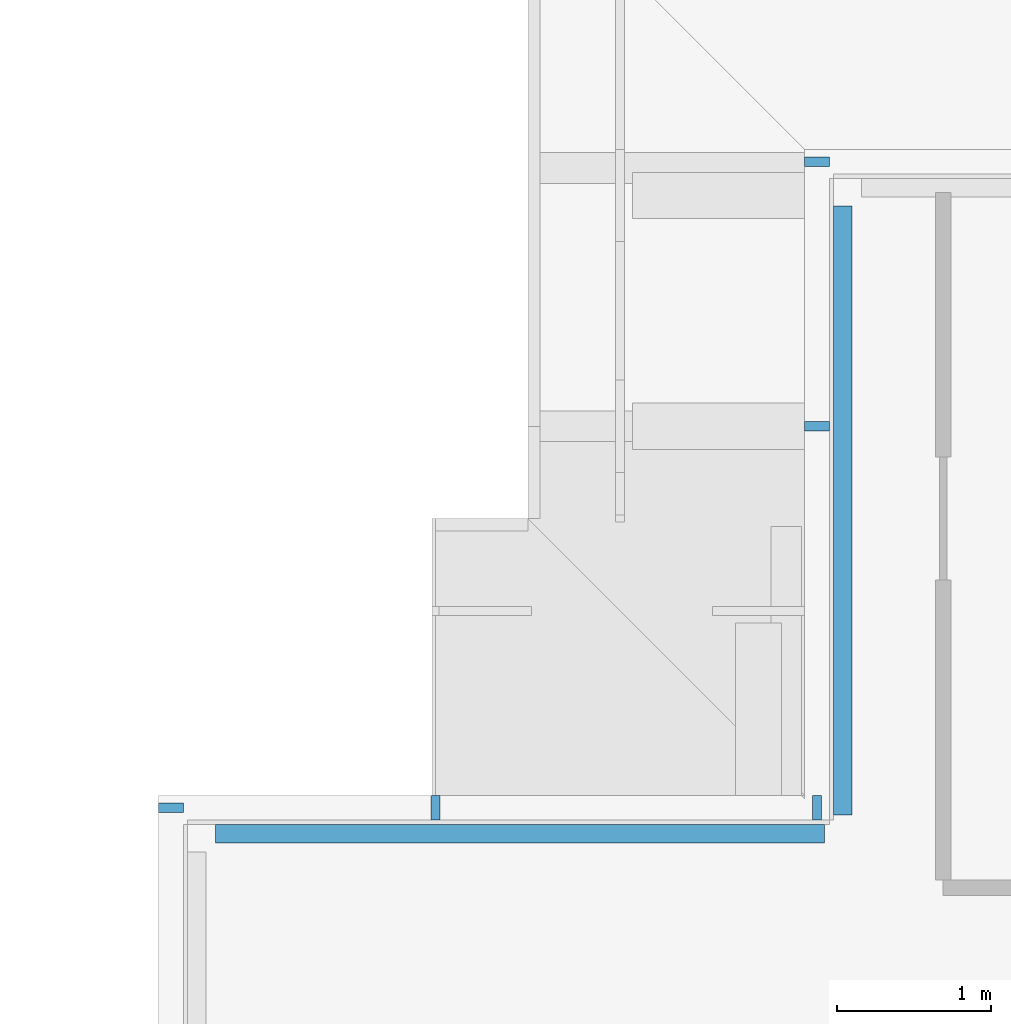
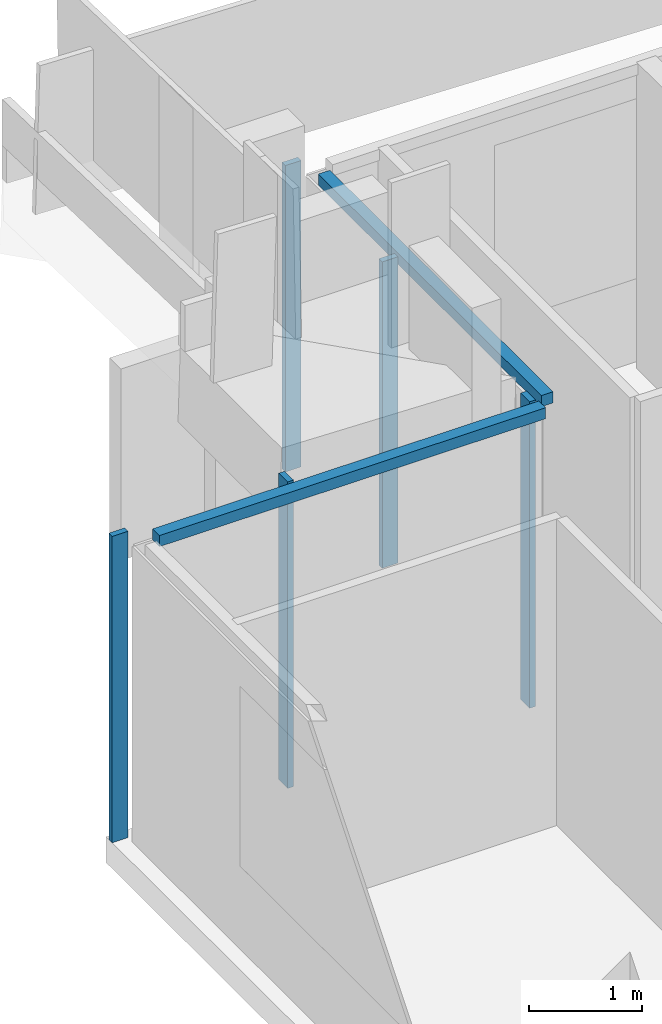
# One storey, part 6 of 21: 7 members, 3 elements without a shape of their own.
"""IFC4 building model written with IfcOpenShell, lengths in metres."""

import ifcopenshell
import ifcopenshell.guid

model = None  # the IFC model being written
_history = None  # IfcOwnerHistory: only IFC2X3 demands one
_inside = {}  # id of a spatial element -> (the spatial element, [elements in it])
_under = {}  # id of a project, library or spatial element -> (it, [spatial elements below it])
_declared = {}  # id of a project -> (the project, [libraries it declares])
_typed = {}  # id of a type object -> (the type object, [elements of that type])
_made_of = {}  # id of a material, layer set ... -> (it, [elements and type objects made of it])


def new_model(schema):
    """Start an empty IFC model of exactly this schema.

    Asked for "IFC4X3", IfcOpenShell would pick the latest addendum, in which some entities
    have other attributes; the version numbers below select the first issue.
    IFC2X3 requires an IfcOwnerHistory on every rooted entity: one is made here for all.
    """
    global model, _history
    if schema == "IFC4X3":
        model = ifcopenshell.file(schema_version=(4, 3, 0, 0))
    else:
        model = ifcopenshell.file(schema=schema)
    _inside.clear()
    _under.clear()
    _declared.clear()
    _typed.clear()
    _made_of.clear()
    _history = None
    if model.schema == "IFC2X3":
        org = make("IfcOrganization", Name="unknown")
        user = make(
            "IfcPersonAndOrganization",
            ThePerson=make("IfcPerson", FamilyName="unknown"),
            TheOrganization=org,
        )
        app = make(
            "IfcApplication",
            ApplicationDeveloper=org,
            Version="unknown",
            ApplicationFullName="unknown",
            ApplicationIdentifier="unknown",
        )
        _history = make(
            "IfcOwnerHistory",
            OwningUser=user,
            OwningApplication=app,
            ChangeAction="ADDED",
            CreationDate=0,
        )
    return model


def make(cls, **values):
    """One entity of the class cls with the attributes given. An attribute that is None is left unset."""
    return model.create_entity(
        cls, **{name: value for name, value in values.items() if value is not None}
    )


def rooted(cls, **values):
    """An entity with a GlobalId (a new one), such as an element, a storey or a relation."""
    return make(cls, GlobalId=ifcopenshell.guid.new(), OwnerHistory=_history, **values)


def si_unit(unit_type, name, prefix=None):
    """IfcSIUnit, for example si_unit("LENGTHUNIT", "METRE", prefix="MILLI")."""
    return make("IfcSIUnit", UnitType=unit_type, Prefix=prefix, Name=name)


def assignment(units):
    """IfcUnitAssignment: the units of a project."""
    return None if units is None else make("IfcUnitAssignment", Units=units)


def point(xyz):
    """IfcCartesianPoint."""
    return None if xyz is None else make("IfcCartesianPoint", Coordinates=xyz)


def direction(xyz):
    """IfcDirection."""
    return None if xyz is None else make("IfcDirection", DirectionRatios=xyz)


def frame(location, z_axis=None, x_axis=None):
    """IfcAxis2Placement3D, a coordinate frame: its origin and axes. An axis left out is left unset."""
    return make(
        "IfcAxis2Placement3D",
        Location=point(location),
        Axis=direction(z_axis),
        RefDirection=direction(x_axis),
    )


def frame_2d(location, x_axis=None):
    """IfcAxis2Placement2D, a coordinate frame in the plane: its origin and x axis."""
    return make(
        "IfcAxis2Placement2D", Location=point(location), RefDirection=direction(x_axis)
    )


def origin():
    """The frame at (0, 0, 0) with its axes left unset."""
    return frame((0.0, 0.0, 0.0))


def origin_2d():
    """The frame at (0, 0) in the plane with its x axis left unset."""
    return frame_2d((0.0, 0.0))


def place(relative_to, where):
    """IfcLocalPlacement: puts the frame where relative to a parent placement (None: the world)."""
    return make(
        "IfcLocalPlacement", PlacementRelTo=relative_to, RelativePlacement=where
    )


def context(
    kind, dimensions, precision=None, world=None, true_north=None, identifier=None
):
    """IfcGeometricRepresentationContext, for example the 3D "Model" context."""
    return make(
        "IfcGeometricRepresentationContext",
        ContextIdentifier=identifier,
        ContextType=kind,
        CoordinateSpaceDimension=dimensions,
        Precision=precision,
        WorldCoordinateSystem=world,
        TrueNorth=true_north,
    )


def subcontext(parent, identifier, kind, view, scale=None):
    """IfcGeometricRepresentationSubContext, for example "Body" below "Model"."""
    return make(
        "IfcGeometricRepresentationSubContext",
        ContextIdentifier=identifier,
        ContextType=kind,
        ParentContext=parent,
        TargetScale=scale,
        TargetView=view,
    )


def project(units=None, contexts=None):
    """IfcProject with its units and contexts."""
    return rooted(
        "IfcProject",
        Name="project",
        RepresentationContexts=contexts,
        UnitsInContext=assignment(units),
    )


def spatial(cls, under=None, at=None, **own):
    """A site, building, storey or space (cls), placed at a placement, below another one or the project."""
    s = rooted(cls, ObjectPlacement=at, **own)
    if under is not None:
        _under.setdefault(under.id(), (under, []))[1].append(s)
    return s


def profile(cls, at=None, kind="AREA", **sizes):
    """A parametric profile (cls). Its sizes go by their IFC names, for example OverallWidth=200.0."""
    return make(cls, ProfileType=kind, Position=at, **sizes)


def rectangle(**sizes):
    """IfcRectangleProfileDef."""
    return profile("IfcRectangleProfileDef", **sizes)


def extrude(swept, where, along, depth):
    """IfcExtrudedAreaSolid: the profile swept, set in the frame where, extruded along a direction by depth."""
    return make(
        "IfcExtrudedAreaSolid",
        SweptArea=swept,
        Position=where,
        ExtrudedDirection=direction(along),
        Depth=depth,
    )


def shape(context_of_items, identifier, shape_type, items):
    """IfcShapeRepresentation: the items that make up one representation, for example the "Body"."""
    return make(
        "IfcShapeRepresentation",
        ContextOfItems=context_of_items,
        RepresentationIdentifier=identifier,
        RepresentationType=shape_type,
        Items=items,
    )


def material(Name=None, Category=None):
    """IfcMaterial."""
    return make("IfcMaterial", Name=Name, Category=Category)


def material_profile(
    of_material, cross_section, Name=None, Category=None, Priority=None
):
    """IfcMaterialProfile: a cross section and its material."""
    return make(
        "IfcMaterialProfile",
        Name=Name,
        Material=of_material,
        Profile=cross_section,
        Priority=Priority,
        Category=Category,
    )


def profile_set(profiles, Name=None, composite=None):
    """IfcMaterialProfileSet."""
    return make(
        "IfcMaterialProfileSet",
        Name=Name,
        MaterialProfiles=profiles,
        CompositeProfile=composite,
    )


def made_of(thing, what):
    """Note that an element or type object is made of a material, layer set ...; save() writes the relation."""
    if what is not None:
        _made_of.setdefault(what.id(), (what, []))[1].append(thing)
    return thing


def type_object(cls, material=None, **own):
    """A type object (cls), such as IfcWallType, which elements share."""
    return made_of(rooted(cls, **own), material)


def element(
    cls,
    number,
    at=None,
    inside=None,
    cuts=None,
    type_object=None,
    material=None,
    context=None,
    identifier="Body",
    shape_type=None,
    held_by="IfcProductDefinitionShape",
    body=None,
    shapes=None,
    **own,
):
    """One element of the class cls, such as IfcWall. Its Tag is "e" and its number.

    at: its placement. inside: the storey or other place that contains it. cuts: it is an
    opening in that element (IfcRelVoidsElement). A single representation is given by context,
    identifier, shape_type and body (its items); several are given by shapes. held_by: the class
    of the entity that holds the representations. save() writes the other relations.
    """
    e = rooted(cls, Tag="e%d" % number, ObjectPlacement=at, **own)
    if body is not None:
        shapes = [shape(context, identifier, shape_type, body)]
    if shapes is not None:
        e.Representation = make(held_by, Representations=shapes)
    if inside is not None:
        _inside.setdefault(inside.id(), (inside, []))[1].append(e)
    if cuts is not None:
        rooted(
            "IfcRelVoidsElement", RelatingBuildingElement=cuts, RelatedOpeningElement=e
        )
    if type_object is not None:
        _typed.setdefault(type_object.id(), (type_object, []))[1].append(e)
    return made_of(e, material)


def aggregate(whole, parts):
    """IfcRelAggregates: a whole, such as a stair, and the parts it consists of."""
    return rooted("IfcRelAggregates", RelatingObject=whole, RelatedObjects=parts)


def save(model, path):
    """Write the relations noted so far, then the file.

    IfcRelAggregates (storeys below a building ...), IfcRelContainedInSpatialStructure (elements
    in a storey), IfcRelDefinesByType, IfcRelAssociatesMaterial and IfcRelDeclares: one each for
    every whole, place, type object, material and project.
    """
    for whole, parts in _under.values():
        aggregate(whole, parts)
    for where, things in _inside.values():
        rooted(
            "IfcRelContainedInSpatialStructure",
            RelatedElements=things,
            RelatingStructure=where,
        )
    for kind, things in _typed.values():
        rooted("IfcRelDefinesByType", RelatedObjects=things, RelatingType=kind)
    for what, things in _made_of.values():
        rooted("IfcRelAssociatesMaterial", RelatedObjects=things, RelatingMaterial=what)
    for by, libraries in _declared.values():
        rooted("IfcRelDeclares", RelatingContext=by, RelatedDefinitions=libraries)
    model.write(path)


model = new_model("IFC4")

# Units and contexts
model_context = context("Model", 3, precision=1e-05, world=origin(), true_north=direction((0.0, 1.0)))
body_context = subcontext(model_context, "Body", "Model", "MODEL_VIEW")
ifc_project = project(units=[si_unit("LENGTHUNIT", "METRE"), si_unit("AREAUNIT", "SQUARE_METRE"), si_unit("VOLUMEUNIT", "CUBIC_METRE"), si_unit("PLANEANGLEUNIT", "RADIAN"), si_unit("MASSUNIT", "GRAM", prefix="KILO")], contexts=[model_context])

# Site, building, storey
site_placement = place(None, origin())
site = spatial("IfcSite", under=ifc_project, at=site_placement, CompositionType="ELEMENT")
building_placement = place(site_placement, origin())
building = spatial("IfcBuilding", under=site, at=building_placement, Name="Saffron Gate Tower", CompositionType="ELEMENT")
storey_placement = place(building_placement, frame((0.0, 0.0, 288.75)))
storey = spatial("IfcBuildingStorey", under=building, at=storey_placement, Name="L70", CompositionType="ELEMENT", Elevation=288.75)

# Curtain wall, member
ifc_material = material(Name="Aluminium, bronze anodised", Category="aluminium")
curtain_wall_type_1 = type_object("IfcCurtainWallType", Name="CWS2 curtain wall side facades", PredefinedType="NOTDEFINED", material=ifc_material)
curtain_wall_1_placement = place(storey_placement, origin())
curtain_wall_1 = element("IfcCurtainWall", 1, at=curtain_wall_1_placement, inside=storey, type_object=curtain_wall_type_1, Name="CWS2 run 10", PredefinedType="NOTDEFINED")
ifc_material_profile_1 = material_profile(ifc_material, rectangle(XDim=0.159912109375, YDim=0.06005859375, at=origin_2d()))
ifc_profile_set_1 = profile_set([ifc_material_profile_1], Name="Aluminium, bronze anodised")
member_type_1 = type_object("IfcMemberType", Name="CWS2 mullion 60x160", PredefinedType="MULLION", material=ifc_profile_set_1)
member_1_placement = place(storey_placement, frame((56.47998046875, 71.320068359375, 0.0), z_axis=(0.0, 0.0, 1.0), x_axis=(1.0, 0.0, 0.0)))
member_1 = element("IfcMember", 2, at=member_1_placement, type_object=member_type_1, Name="CWS2 mullion 1", PredefinedType="MULLION", context=body_context, shape_type="SweptSolid", body=[
    extrude(rectangle(XDim=0.159912109375, YDim=0.06005859375, at=origin_2d()), origin(), (0.0, 0.0, 1.0), 3.320068359375),
])
aggregate(curtain_wall_1, [member_1])

curtain_wall_type_2 = type_object("IfcCurtainWallType", Name="CWS4 curtain wall corner returns", PredefinedType="NOTDEFINED", material=ifc_material)
curtain_wall_2_placement = place(storey_placement, origin())
curtain_wall_2 = element("IfcCurtainWall", 3, at=curtain_wall_2_placement, inside=storey, type_object=curtain_wall_type_2, Name="CWS4 run 8", PredefinedType="NOTDEFINED")
ifc_material_profile_2 = material_profile(ifc_material, rectangle(XDim=0.1201171875, YDim=0.1201171875, at=origin_2d()))
ifc_profile_set_2 = profile_set([ifc_material_profile_2], Name="Aluminium, bronze anodised")
member_type_2 = type_object("IfcMemberType", Name="CWS4 head transom", PredefinedType="USERDEFINED", material=ifc_profile_set_2)
member_2_placement = place(storey_placement, frame((60.847900390625, 75.23193359375, 3.260009765625), z_axis=(0.0, -1.0, 0.0), x_axis=(1.0, 0.0, 0.0)))
member_2 = element("IfcMember", 4, at=member_2_placement, type_object=member_type_2, Name="CWS4 head transom", ObjectType="TRANSOM", PredefinedType="USERDEFINED", context=body_context, shape_type="SweptSolid", body=[
    extrude(rectangle(XDim=0.1201171875, YDim=0.1201171875, at=origin_2d()), origin(), (0.0, 0.0, 1.0), 3.9599609375),
])

curtain_wall_3_placement = place(storey_placement, origin())
curtain_wall_3 = element("IfcCurtainWall", 5, at=curtain_wall_3_placement, inside=storey, type_object=curtain_wall_type_2, Name="CWS4 run 9", PredefinedType="NOTDEFINED")
member_3_placement = place(storey_placement, frame((60.72802734375, 71.152099609375, 3.260009765625), z_axis=(-1.0, 0.0, 0.0), x_axis=(0.0, -1.0, 0.0)))
member_3 = element("IfcMember", 6, at=member_3_placement, type_object=member_type_2, Name="CWS4 head transom", ObjectType="TRANSOM", PredefinedType="USERDEFINED", context=body_context, shape_type="SweptSolid", body=[
    extrude(rectangle(XDim=0.1201171875, YDim=0.1201171875, at=origin_2d()), origin(), (0.0, 0.0, 1.0), 3.9599609375),
])

# Member
ifc_material_profile_3 = material_profile(ifc_material, rectangle(XDim=0.159912109375, YDim=0.06005859375, at=origin_2d()))
ifc_profile_set_3 = profile_set([ifc_material_profile_3], Name="Aluminium, bronze anodised")
member_type_3 = type_object("IfcMemberType", Name="CWS4 mullion 60x160", PredefinedType="MULLION", material=ifc_profile_set_3)
member_4_placement = place(storey_placement, frame((60.679931640625, 75.52001953125, 0.0), z_axis=(0.0, 0.0, 1.0), x_axis=(1.0, 0.0, 0.0)))
member_4 = element("IfcMember", 7, at=member_4_placement, type_object=member_type_3, Name="CWS4 mullion 1", PredefinedType="MULLION", context=body_context, shape_type="SweptSolid", body=[
    extrude(rectangle(XDim=0.159912109375, YDim=0.06005859375, at=origin_2d()), origin(), (0.0, 0.0, 1.0), 3.320068359375),
])

member_5_placement = place(storey_placement, frame((60.679931640625, 73.800048828125, 0.0), z_axis=(0.0, 0.0, 1.0), x_axis=(1.0, 0.0, 0.0)))
member_5 = element("IfcMember", 8, at=member_5_placement, type_object=member_type_3, Name="CWS4 mullion 2", PredefinedType="MULLION", context=body_context, shape_type="SweptSolid", body=[
    extrude(rectangle(XDim=0.159912109375, YDim=0.06005859375, at=origin_2d()), origin(), (0.0, 0.0, 1.0), 3.320068359375),
])

aggregate(curtain_wall_2, [member_4, member_5, member_2])

member_6_placement = place(storey_placement, frame((60.679931640625, 71.320068359375, 0.0), z_axis=(0.0, 0.0, 1.0), x_axis=(0.0, -1.0, 0.0)))
member_6 = element("IfcMember", 9, at=member_6_placement, type_object=member_type_3, Name="CWS4 mullion 1", PredefinedType="MULLION", context=body_context, shape_type="SweptSolid", body=[
    extrude(rectangle(XDim=0.159912109375, YDim=0.06005859375, at=origin_2d()), origin(), (0.0, 0.0, 1.0), 3.320068359375),
])

member_7_placement = place(storey_placement, frame((58.199951171875, 71.320068359375, 0.0), z_axis=(0.0, 0.0, 1.0), x_axis=(0.0, -1.0, 0.0)))
member_7 = element("IfcMember", 10, at=member_7_placement, type_object=member_type_3, Name="CWS4 mullion 2", PredefinedType="MULLION", context=body_context, shape_type="SweptSolid", body=[
    extrude(rectangle(XDim=0.159912109375, YDim=0.06005859375, at=origin_2d()), origin(), (0.0, 0.0, 1.0), 3.320068359375),
])

aggregate(curtain_wall_3, [member_6, member_7, member_3])

save(model, "model.ifc")
